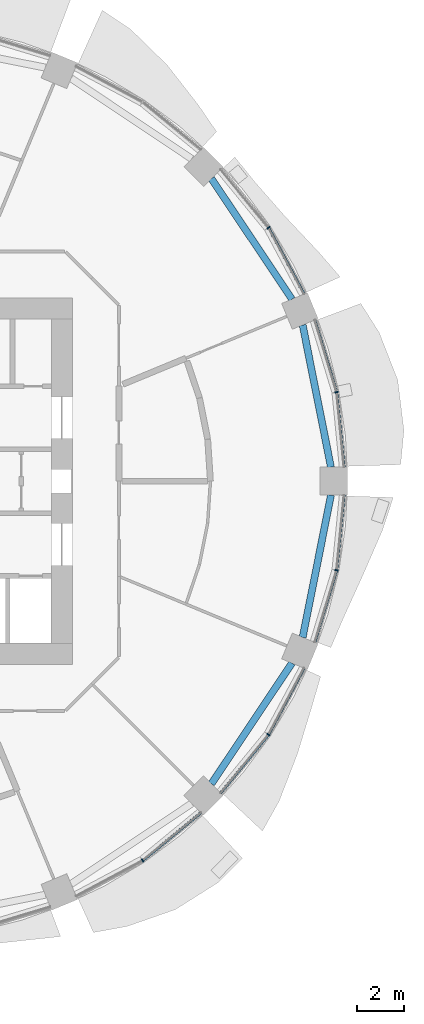
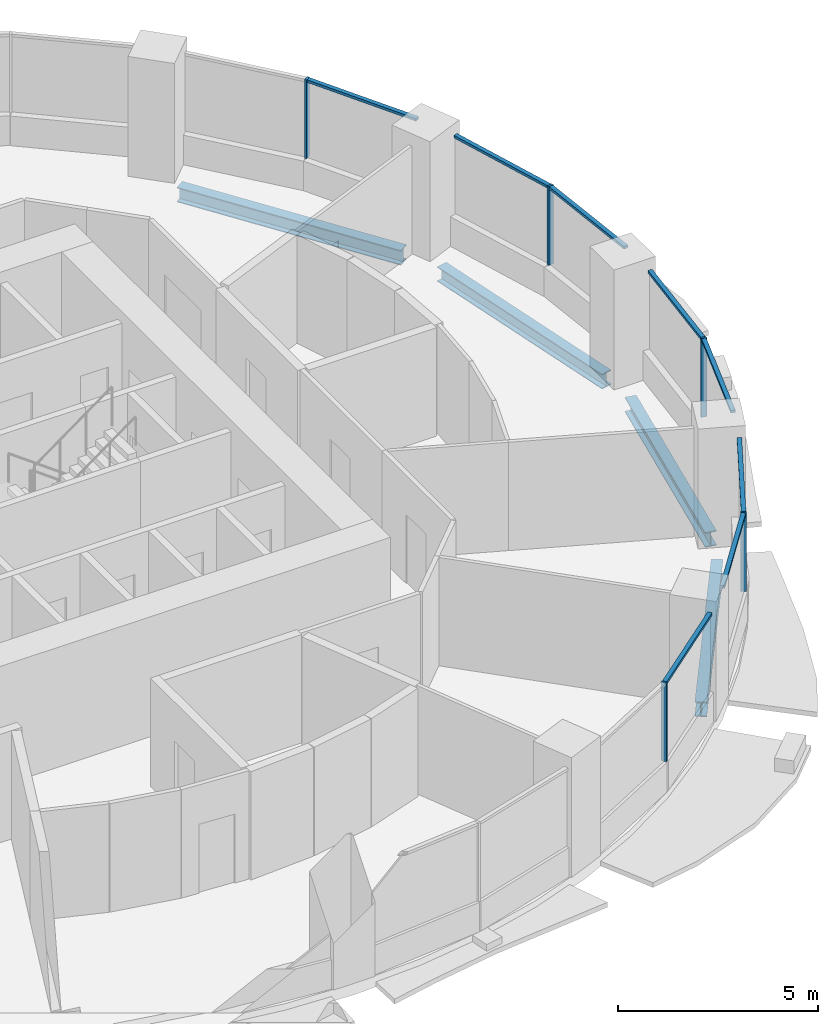
# One storey, part 5 of 15: 13 members, 4 beams, 5 elements without a shape of their own.
"""IFC4 building model written with IfcOpenShell, lengths in metres."""

from ifc_helpers import new_model, si_unit, direction, frame, origin, origin_2d, place, context, subcontext, project, spatial, rectangle, i_section, extrude, material, material_profile, profile_set, type_object, element, aggregate, save


model = new_model("IFC4")

# Units and contexts
model_context = context("Model", 3, precision=1e-05, world=origin(), true_north=direction((0.0, 1.0)))
body_context = subcontext(model_context, "Body", "Model", "MODEL_VIEW")
ifc_project = project(units=[si_unit("LENGTHUNIT", "METRE"), si_unit("AREAUNIT", "SQUARE_METRE"), si_unit("VOLUMEUNIT", "CUBIC_METRE"), si_unit("PLANEANGLEUNIT", "RADIAN"), si_unit("MASSUNIT", "GRAM", prefix="KILO")], contexts=[model_context])

# Site, building, storey
site_placement = place(None, origin())
site = spatial("IfcSite", under=ifc_project, at=site_placement, CompositionType="ELEMENT")
building_placement = place(site_placement, origin())
building = spatial("IfcBuilding", under=site, at=building_placement, Name="Polderwave Tower", CompositionType="ELEMENT")
storey_placement = place(building_placement, frame((0.0, 0.0, 44.449951171875)))
storey = spatial("IfcBuildingStorey", under=building, at=storey_placement, Name="L11", CompositionType="ELEMENT", Elevation=44.449951171875)

# Curtain wall, member
ifc_material_1 = material(Name="Aluminium 6063-T6 and glass", Category="aluminium")
curtain_wall_type = type_object("IfcCurtainWallType", Name="Growing floor ribbon glazing wall", PredefinedType="NOTDEFINED", material=ifc_material_1)
curtain_wall_1_placement = place(storey_placement, origin())
curtain_wall_1 = element("IfcCurtainWall", 1, at=curtain_wall_1_placement, inside=storey, type_object=curtain_wall_type, Name="CW2 L11 00", PredefinedType="NOTDEFINED")
ifc_material_2 = material(Name="Aluminium 6063-T6", Category="aluminium")
ifc_material_profile_1 = material_profile(ifc_material_2, rectangle(XDim=0.14990234375, YDim=0.06005859375, at=origin_2d()), Name="AL 60x150")
ifc_profile_set_1 = profile_set([ifc_material_profile_1], Name="Aluminium 6063-T6")
member_type_1 = type_object("IfcMemberType", Name="Growing floor ribbon glazing mullion 60x150", PredefinedType="MULLION", material=ifc_profile_set_1)
member_1_placement = place(storey_placement, frame((19.23291015625, 3.825927734375, 0.900146484375), z_axis=(0.0, 0.0, 1.0), x_axis=(-0.980767911179, -0.195177622698, 0.0)))
member_1 = element("IfcMember", 2, at=member_1_placement, type_object=member_type_1, Name="CW2 mullion 1", PredefinedType="MULLION", context=body_context, shape_type="SweptSolid", body=[
    extrude(rectangle(XDim=0.14990234375, YDim=0.06005859375, at=origin_2d()), origin(), (0.0, 0.0, 1.0), 2.39990234375),
])

curtain_wall_2_placement = place(storey_placement, origin())
curtain_wall_2 = element("IfcCurtainWall", 3, at=curtain_wall_2_placement, inside=storey, type_object=curtain_wall_type, Name="CW2 L11 01", PredefinedType="NOTDEFINED")
member_2_placement = place(storey_placement, frame((16.304931640625, 10.89501953125, 0.900146484375), z_axis=(0.0, 0.0, 1.0), x_axis=(-0.831468642648, -0.555571684207, 0.0)))
member_2 = element("IfcMember", 4, at=member_2_placement, type_object=member_type_1, Name="CW2 mullion 1", PredefinedType="MULLION", context=body_context, shape_type="SweptSolid", body=[
    extrude(rectangle(XDim=0.14990234375, YDim=0.06005859375, at=origin_2d()), origin(), (0.0, 0.0, 1.0), 2.39990234375),
])

curtain_wall_3_placement = place(storey_placement, origin())
curtain_wall_3 = element("IfcCurtainWall", 5, at=curtain_wall_3_placement, inside=storey, type_object=curtain_wall_type, Name="CW2 L11 13", PredefinedType="NOTDEFINED")
member_3_placement = place(storey_placement, frame((10.89501953125, -16.304931640625, 0.900146484375), z_axis=(0.0, 0.0, 1.0), x_axis=(-0.555571684207, 0.831468642648, 0.0)))
member_3 = element("IfcMember", 6, at=member_3_placement, type_object=member_type_1, Name="CW2 mullion 1", PredefinedType="MULLION", context=body_context, shape_type="SweptSolid", body=[
    extrude(rectangle(XDim=0.14990234375, YDim=0.06005859375, at=origin_2d()), origin(), (0.0, 0.0, 1.0), 2.39990234375),
])

curtain_wall_4_placement = place(storey_placement, origin())
curtain_wall_4 = element("IfcCurtainWall", 7, at=curtain_wall_4_placement, inside=storey, type_object=curtain_wall_type, Name="CW2 L11 14", PredefinedType="NOTDEFINED")
member_4_placement = place(storey_placement, frame((16.304931640625, -10.89501953125, 0.900146484375), z_axis=(0.0, 0.0, 1.0), x_axis=(-0.831468642648, 0.555571684207, 0.0)))
member_4 = element("IfcMember", 8, at=member_4_placement, type_object=member_type_1, Name="CW2 mullion 1", PredefinedType="MULLION", context=body_context, shape_type="SweptSolid", body=[
    extrude(rectangle(XDim=0.14990234375, YDim=0.06005859375, at=origin_2d()), origin(), (0.0, 0.0, 1.0), 2.39990234375),
])

curtain_wall_5_placement = place(storey_placement, origin())
curtain_wall_5 = element("IfcCurtainWall", 9, at=curtain_wall_5_placement, inside=storey, type_object=curtain_wall_type, Name="CW2 L11 15", PredefinedType="NOTDEFINED")
member_5_placement = place(storey_placement, frame((19.23291015625, -3.825927734375, 0.900146484375), z_axis=(0.0, 0.0, 1.0), x_axis=(-0.980767911179, 0.195177622698, 0.0)))
member_5 = element("IfcMember", 10, at=member_5_placement, type_object=member_type_1, Name="CW2 mullion 1", PredefinedType="MULLION", context=body_context, shape_type="SweptSolid", body=[
    extrude(rectangle(XDim=0.14990234375, YDim=0.06005859375, at=origin_2d()), origin(), (0.0, 0.0, 1.0), 2.39990234375),
])

# Member
ifc_material_profile_2 = material_profile(ifc_material_2, rectangle(XDim=0.1201171875, YDim=0.080078125, at=origin_2d()), Name="AL 80x120")
ifc_profile_set_2 = profile_set([ifc_material_profile_2], Name="Aluminium 6063-T6")
member_type_2 = type_object("IfcMemberType", Name="Growing floor ribbon glazing transom 80x120", PredefinedType="USERDEFINED", material=ifc_profile_set_2)
member_6_placement = place(storey_placement, frame((19.551025390625, 0.60009765625, 3.260009765625), z_axis=(-0.098141294442, 0.99517249074, 0.0), x_axis=(-0.99517249074, -0.098141294442, 0.0)))
member_6 = element("IfcMember", 11, at=member_6_placement, type_object=member_type_2, Name="CW2 transom 1", ObjectType="TRANSOM", PredefinedType="USERDEFINED", context=body_context, shape_type="SweptSolid", body=[
    extrude(rectangle(XDim=0.1201171875, YDim=0.080078125, at=origin_2d()), origin(), (0.0, 0.0, 1.0), 3.211669921875),
])

member_7_placement = place(storey_placement, frame((19.224365234375, 3.854736328125, 3.260009765625), z_axis=(-0.290402031143, 0.956904728961, 0.0), x_axis=(-0.956904728961, -0.290402031143, 0.0)))
member_7 = element("IfcMember", 12, at=member_7_placement, type_object=member_type_2, Name="CW2 transom 2", ObjectType="TRANSOM", PredefinedType="USERDEFINED", context=body_context, shape_type="SweptSolid", body=[
    extrude(rectangle(XDim=0.1201171875, YDim=0.080078125, at=origin_2d()), origin(), (0.0, 0.0, 1.0), 3.210693359375),
])

aggregate(curtain_wall_1, [member_1, member_6, member_7])

member_8_placement = place(storey_placement, frame((17.8330078125, 8.035888671875, 3.260009765625), z_axis=(-0.471373193578, 0.881933848072, 0.0), x_axis=(-0.881933848072, -0.471373193578, 0.0)))
member_8 = element("IfcMember", 13, at=member_8_placement, type_object=member_type_2, Name="CW2 transom 1", ObjectType="TRANSOM", PredefinedType="USERDEFINED", context=body_context, shape_type="SweptSolid", body=[
    extrude(rectangle(XDim=0.1201171875, YDim=0.080078125, at=origin_2d()), origin(), (0.0, 0.0, 1.0), 3.211669921875),
])

aggregate(curtain_wall_2, [member_2, member_8])

member_9_placement = place(storey_placement, frame((10.918212890625, -16.285888671875, 3.260009765625), z_axis=(0.772980616228, 0.634429639074, 0.0), x_axis=(-0.634429639074, 0.772980616228, 0.0)))
member_9 = element("IfcMember", 14, at=member_9_placement, type_object=member_type_2, Name="CW2 transom 2", ObjectType="TRANSOM", PredefinedType="USERDEFINED", context=body_context, shape_type="SweptSolid", body=[
    extrude(rectangle(XDim=0.1201171875, YDim=0.080078125, at=origin_2d()), origin(), (0.0, 0.0, 1.0), 3.21044921875),
])

aggregate(curtain_wall_3, [member_3, member_9])

member_10_placement = place(storey_placement, frame((14.2490234375, -13.39990234375, 3.260009765625), z_axis=(0.634429639074, 0.772980616228, 0.0), x_axis=(-0.772980616228, 0.634429639074, 0.0)))
member_10 = element("IfcMember", 15, at=member_10_placement, type_object=member_type_2, Name="CW2 transom 1", ObjectType="TRANSOM", PredefinedType="USERDEFINED", context=body_context, shape_type="SweptSolid", body=[
    extrude(rectangle(XDim=0.1201171875, YDim=0.080078125, at=origin_2d()), origin(), (0.0, 0.0, 1.0), 3.21044921875),
])

member_11_placement = place(storey_placement, frame((16.319091796875, -10.868408203125, 3.260009765625), z_axis=(0.471373193578, 0.881933848072, 0.0), x_axis=(-0.881933848072, 0.471373193578, 0.0)))
member_11 = element("IfcMember", 16, at=member_11_placement, type_object=member_type_2, Name="CW2 transom 2", ObjectType="TRANSOM", PredefinedType="USERDEFINED", context=body_context, shape_type="SweptSolid", body=[
    extrude(rectangle(XDim=0.1201171875, YDim=0.080078125, at=origin_2d()), origin(), (0.0, 0.0, 1.0), 3.211669921875),
])

aggregate(curtain_wall_4, [member_4, member_10, member_11])

member_12_placement = place(storey_placement, frame((18.2919921875, -6.927001953125, 3.260009765625), z_axis=(0.290402031143, 0.956904728961, 0.0), x_axis=(-0.956904728961, 0.290402031143, 0.0)))
member_12 = element("IfcMember", 17, at=member_12_placement, type_object=member_type_2, Name="CW2 transom 1", ObjectType="TRANSOM", PredefinedType="USERDEFINED", context=body_context, shape_type="SweptSolid", body=[
    extrude(rectangle(XDim=0.1201171875, YDim=0.080078125, at=origin_2d()), origin(), (0.0, 0.0, 1.0), 3.210693359375),
])

member_13_placement = place(storey_placement, frame((19.23583984375, -3.796142578125, 3.260009765625), z_axis=(0.098141294442, 0.99517249074, 0.0), x_axis=(-0.99517249074, 0.098141294442, 0.0)))
member_13 = element("IfcMember", 18, at=member_13_placement, type_object=member_type_2, Name="CW2 transom 2", ObjectType="TRANSOM", PredefinedType="USERDEFINED", context=body_context, shape_type="SweptSolid", body=[
    extrude(rectangle(XDim=0.1201171875, YDim=0.080078125, at=origin_2d()), origin(), (0.0, 0.0, 1.0), 3.211669921875),
])

aggregate(curtain_wall_5, [member_5, member_12, member_13])

# Beams
ifc_material_3 = material(Name="Steel S355", Category="steel")
ifc_material_profile_3 = material_profile(ifc_material_3, i_section(OverallWidth=0.300048828125, OverallDepth=0.449951171875, WebThickness=0.013916015625, FlangeThickness=0.02587890625, at=origin_2d()), Name="HE 450 B")
ifc_profile_set_3 = profile_set([ifc_material_profile_3], Name="Steel S355")
beam_type = type_object("IfcBeamType", Name="RING BEAM HE 450 B", PredefinedType="BEAM", material=ifc_profile_set_3)
beam_1_placement = place(storey_placement, frame((18.99072265625, 0.60009765625, -0.574951171875), z_axis=(-0.195106645934, 0.980782033233, 0.0), x_axis=(-0.980782033233, -0.195106645934, 0.0)))
element("IfcBeam", 19, at=beam_1_placement, inside=storey, type_object=beam_type, Name="ST-RB-L11-00", PredefinedType="BEAM", context=body_context, shape_type="SweptSolid", body=[
    extrude(i_section(OverallWidth=0.300048828125, OverallDepth=0.449951171875, WebThickness=0.013916015625, FlangeThickness=0.02587890625, at=origin_2d()), origin(), (0.0, 0.0, 1.0), 6.23291015625),
])
for number, where, z_axis, x_axis, name in (
    (20, (17.3154296875, 7.82177734375, -0.574951171875), (-0.555558644, 0.831477355721, 0.0), (-0.831477355721, -0.555558644, 0.0), "ST-RB-L11-01"),
    (21, (13.852783203125, -13.004150390625, -0.574951171875), (0.555558644, 0.831477355721, 0.0), (-0.831477355721, 0.555558644, 0.0), "ST-RB-L11-14"),
):
    element("IfcBeam", number, at=place(storey_placement, frame(where, z_axis=z_axis, x_axis=x_axis)), inside=storey, type_object=beam_type, Name=name, PredefinedType="BEAM", context=body_context, shape_type="SweptSolid", body=[
        extrude(i_section(OverallWidth=0.300048828125, OverallDepth=0.449951171875, WebThickness=0.013916015625, FlangeThickness=0.02587890625, at=origin_2d()), origin(), (0.0, 0.0, 1.0), 6.232666015625),
    ])
beam_2_placement = place(storey_placement, frame((17.774658203125, -6.713134765625, -0.574951171875), z_axis=(0.195106645934, 0.980782033233, 0.0), x_axis=(-0.980782033233, 0.195106645934, 0.0)))
element("IfcBeam", 22, at=beam_2_placement, inside=storey, type_object=beam_type, Name="ST-RB-L11-15", PredefinedType="BEAM", context=body_context, shape_type="SweptSolid", body=[
    extrude(i_section(OverallWidth=0.300048828125, OverallDepth=0.449951171875, WebThickness=0.013916015625, FlangeThickness=0.02587890625, at=origin_2d()), origin(), (0.0, 0.0, 1.0), 6.23291015625),
])

save(model, "model.ifc")
